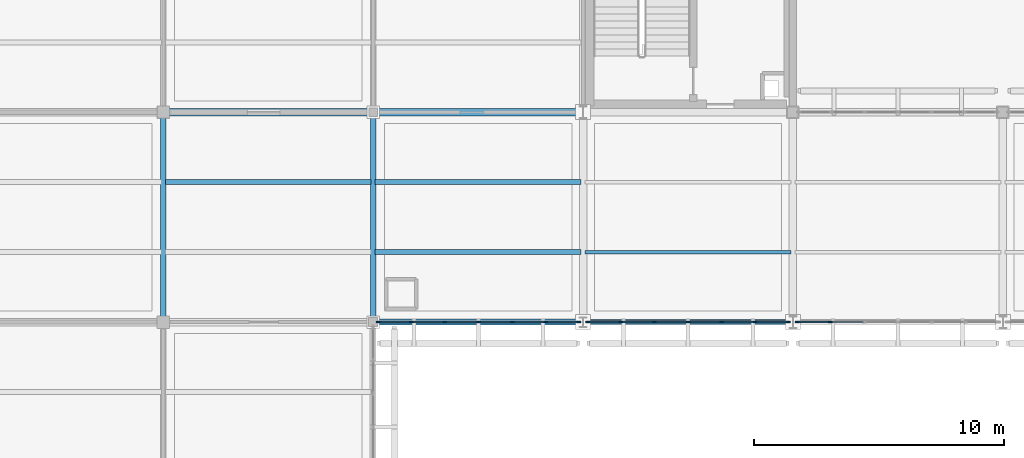
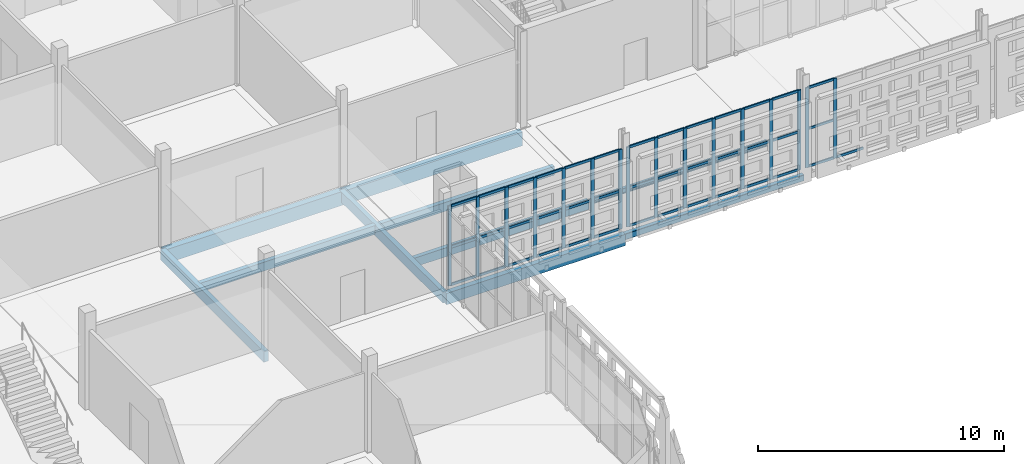
# One storey, part 43 of 203: 56 members, 10 beams, 3 elements without a shape of their own.
"""IFC4 building model written with IfcOpenShell, lengths in metres."""

from ifc_helpers import new_model, si_unit, direction, frame, origin, origin_2d, place, context, subcontext, project, spatial, rectangle, hollow_rectangle, i_section, extrude, material, layer, layer_set, material_profile, profile_set, type_object, element, aggregate, save


model = new_model("IFC4")

# Units and contexts
model_context = context("Model", 3, precision=1e-05, world=origin(), true_north=direction((0.0, 1.0)))
body_context = subcontext(model_context, "Body", "Model", "MODEL_VIEW")
ifc_project = project(units=[si_unit("LENGTHUNIT", "METRE"), si_unit("AREAUNIT", "SQUARE_METRE"), si_unit("VOLUMEUNIT", "CUBIC_METRE"), si_unit("PLANEANGLEUNIT", "RADIAN"), si_unit("MASSUNIT", "GRAM", prefix="KILO")], contexts=[model_context])

# Site, building, storey
site_placement = place(None, origin())
site = spatial("IfcSite", under=ifc_project, at=site_placement, CompositionType="ELEMENT")
building_placement = place(site_placement, origin())
building = spatial("IfcBuilding", under=site, at=building_placement, Name="Varnapada Polytechnic", CompositionType="ELEMENT")
storey_placement = place(building_placement, frame((0.0, 0.0, 4.800048828125)))
storey = spatial("IfcBuildingStorey", under=building, at=storey_placement, Name="L01", CompositionType="ELEMENT", Elevation=4.800048828125)

# Beams
ifc_material_1 = material(Name="Glulam GL32h", Category="wood")
ifc_material_profile_1 = material_profile(ifc_material_1, rectangle(XDim=0.199951171875, YDim=0.43994140625, at=origin_2d()), Name="GL 200x440")
ifc_profile_set_1 = profile_set([ifc_material_profile_1], Name="Glulam GL32h")
beam_type_1 = type_object("IfcBeamType", Name="Heavy laboratory glulam joist GJ-03 (GL 200x440)", PredefinedType="JOIST", material=ifc_profile_set_1)
for number, where, z_axis, x_axis, name in (
    (1, (33.679931640625, 89.60009765625, -0.469970703125), (1.0, 0.0, 0.0), (0.0, 1.0, 0.0), "L01 floor joist 5/11.2"),
    (2, (42.080078125, 86.800048828125, -0.47998046875), (1.0, 0.0, 0.0), (0.0, 1.0, 0.0), "L01 floor joist 6/11.1"),
    (3, (42.080078125, 89.60009765625, -0.47998046875), (1.0, 0.0, 0.0), (0.0, 1.0, 0.0), "L01 floor joist 6/11.2"),
):
    element("IfcBeam", number, at=place(storey_placement, frame(where, z_axis=z_axis, x_axis=x_axis)), inside=storey, type_object=beam_type_1, Name=name, PredefinedType="JOIST", context=body_context, shape_type="SweptSolid", body=[
        extrude(rectangle(XDim=0.199951171875, YDim=0.43994140625, at=origin_2d()), origin(), (0.0, 0.0, 1.0), 8.239990234375),
    ])
ifc_material_profile_2 = material_profile(ifc_material_1, rectangle(XDim=0.219970703125, YDim=0.52001953125, at=origin_2d()), Name="GL 220x520")
ifc_profile_set_2 = profile_set([ifc_material_profile_2], Name="Glulam GL32h")
beam_type_2 = type_object("IfcBeamType", Name="Laboratory transverse glulam beam GB-12 (GL 220x520)", PredefinedType="BEAM", material=ifc_profile_set_2)
for number, where, z_axis, x_axis, name in (
    (4, (33.60009765625, 84.0, -0.510009765625), (0.0, 1.0, 0.0), (-1.0, 0.0, 0.0), "L01 beam Y 11-12 at X5"),
    (5, (42.0, 84.0, -0.510009765625), (0.0, 1.0, 0.0), (-1.0, 0.0, 0.0), "L01 beam Y 11-12 at X6"),
):
    element("IfcBeam", number, at=place(storey_placement, frame(where, z_axis=z_axis, x_axis=x_axis)), inside=storey, type_object=beam_type_2, Name=name, PredefinedType="BEAM", context=body_context, shape_type="SweptSolid", body=[
        extrude(rectangle(XDim=0.219970703125, YDim=0.52001953125, at=origin_2d()), origin(), (0.0, 0.0, 1.0), 8.39990234375),
    ])
ifc_material_2 = material(Name="Steel S355", Category="steel")
ifc_material_profile_3 = material_profile(ifc_material_2, i_section(OverallWidth=0.135009765625, OverallDepth=0.27001953125, WebThickness=0.006591796875, FlangeThickness=0.01025390625, FilletRadius=0.014892578125, at=origin_2d()), Name="IPE 270")
ifc_profile_set_3 = profile_set([ifc_material_profile_3], Name="Steel S355")
beam_type_3 = type_object("IfcBeamType", Name="Mezzanine heavy steel joist SJ-03 (IPE 270)", PredefinedType="JOIST", material=ifc_profile_set_3)
beam_1_placement = place(storey_placement, frame((50.47998046875, 86.800048828125, -0.39501953125), z_axis=(1.0, 0.0, 0.0), x_axis=(0.0, 1.0, 0.0)))
element("IfcBeam", 6, at=beam_1_placement, inside=storey, type_object=beam_type_3, Name="L01 floor joist 7/11.1", PredefinedType="JOIST", context=body_context, shape_type="SweptSolid", body=[
    extrude(i_section(OverallWidth=0.135009765625, OverallDepth=0.27001953125, WebThickness=0.006591796875, FlangeThickness=0.01025390625, FilletRadius=0.014892578125, at=origin_2d()), origin(), (0.0, 0.0, 1.0), 8.239990234375),
])

# Curtain wall, members
ifc_material_3 = material(Name="Double low-E laminated glass", Category="glass")
ifc_layer = layer(ifc_material_3, 0.159912109375)
ifc_layer_set = layer_set([ifc_layer], Name="Double low-E laminated glass")
curtain_wall_type = type_object("IfcCurtainWallType", Name="Curtain Wall CW-01", PredefinedType="NOTDEFINED", material=ifc_layer_set)
curtain_wall_1_placement = place(storey_placement, origin())
curtain_wall_1 = element("IfcCurtainWall", 7, at=curtain_wall_1_placement, inside=storey, type_object=curtain_wall_type, Name="L01 unitised curtain wall CW-01 (46)", PredefinedType="NOTDEFINED")
ifc_material_4 = material(Name="Anodised aluminium", Category="aluminium")
ifc_material_profile_4 = material_profile(ifc_material_4, rectangle(XDim=0.06005859375, YDim=0.159912109375, at=origin_2d()), Name="ALU M60x160")
ifc_profile_set_4 = profile_set([ifc_material_profile_4], Name="Anodised aluminium")
member_type_1 = type_object("IfcMemberType", Name="Mullion M-01", PredefinedType="MULLION", material=ifc_profile_set_4)
member_1_placement = place(storey_placement, frame((50.219970703125, 84.0, 0.0), z_axis=(0.0, 0.0, 1.0), x_axis=(0.0, -1.0, 0.0)))
member_1 = element("IfcMember", 8, at=member_1_placement, type_object=member_type_1, Name="CW-01 mullion 1", PredefinedType="MULLION", context=body_context, shape_type="SweptSolid", body=[
    extrude(rectangle(XDim=0.06005859375, YDim=0.159912109375, at=origin_2d()), origin(), (0.0, 0.0, 1.0), 3.9599609375),
])
member_2_placement = place(storey_placement, frame((48.905029296875, 84.0, 0.0), z_axis=(0.0, 0.0, 1.0), x_axis=(0.0, -1.0, 0.0)))
member_2 = element("IfcMember", 9, at=member_2_placement, type_object=member_type_1, Name="CW-01 mullion 2", PredefinedType="MULLION", context=body_context, shape_type="SweptSolid", body=[
    extrude(rectangle(XDim=0.06005859375, YDim=0.159912109375, at=origin_2d()), origin(), (0.0, 0.0, 1.0), 3.9599609375),
])
member_3_placement = place(storey_placement, frame((47.56005859375, 84.0, 0.0), z_axis=(0.0, 0.0, 1.0), x_axis=(0.0, -1.0, 0.0)))
member_3 = element("IfcMember", 10, at=member_3_placement, type_object=member_type_1, Name="CW-01 mullion 3", PredefinedType="MULLION", context=body_context, shape_type="SweptSolid", body=[
    extrude(rectangle(XDim=0.06005859375, YDim=0.159912109375, at=origin_2d()), origin(), (0.0, 0.0, 1.0), 3.9599609375),
])
member_4_placement = place(storey_placement, frame((46.215087890625, 84.0, 0.0), z_axis=(0.0, 0.0, 1.0), x_axis=(0.0, -1.0, 0.0)))
member_4 = element("IfcMember", 11, at=member_4_placement, type_object=member_type_1, Name="CW-01 mullion 4", PredefinedType="MULLION", context=body_context, shape_type="SweptSolid", body=[
    extrude(rectangle(XDim=0.06005859375, YDim=0.159912109375, at=origin_2d()), origin(), (0.0, 0.0, 1.0), 3.9599609375),
])
member_5_placement = place(storey_placement, frame((44.8701171875, 84.0, 0.0), z_axis=(0.0, 0.0, 1.0), x_axis=(0.0, -1.0, 0.0)))
member_5 = element("IfcMember", 12, at=member_5_placement, type_object=member_type_1, Name="CW-01 mullion 5", PredefinedType="MULLION", context=body_context, shape_type="SweptSolid", body=[
    extrude(rectangle(XDim=0.06005859375, YDim=0.159912109375, at=origin_2d()), origin(), (0.0, 0.0, 1.0), 3.9599609375),
])
member_6_placement = place(storey_placement, frame((43.52490234375, 84.0, 0.0), z_axis=(0.0, 0.0, 1.0), x_axis=(0.0, -1.0, 0.0)))
member_6 = element("IfcMember", 13, at=member_6_placement, type_object=member_type_1, Name="CW-01 mullion 6", PredefinedType="MULLION", context=body_context, shape_type="SweptSolid", body=[
    extrude(rectangle(XDim=0.06005859375, YDim=0.159912109375, at=origin_2d()), origin(), (0.0, 0.0, 1.0), 3.9599609375),
])
member_7_placement = place(storey_placement, frame((42.2099609375, 84.0, 0.0), z_axis=(0.0, 0.0, 1.0), x_axis=(0.0, -1.0, 0.0)))
member_7 = element("IfcMember", 14, at=member_7_placement, type_object=member_type_1, Name="CW-01 mullion 7", PredefinedType="MULLION", context=body_context, shape_type="SweptSolid", body=[
    extrude(rectangle(XDim=0.06005859375, YDim=0.159912109375, at=origin_2d()), origin(), (0.0, 0.0, 1.0), 3.9599609375),
])

curtain_wall_2_placement = place(storey_placement, origin())
curtain_wall_2 = element("IfcCurtainWall", 15, at=curtain_wall_2_placement, inside=storey, type_object=curtain_wall_type, Name="L01 unitised curtain wall CW-01 (52)", PredefinedType="NOTDEFINED")
member_8_placement = place(storey_placement, frame((58.6201171875, 84.0, 0.0), z_axis=(0.0, 0.0, 1.0), x_axis=(0.0, -1.0, 0.0)))
member_8 = element("IfcMember", 16, at=member_8_placement, type_object=member_type_1, Name="CW-01 mullion 1", PredefinedType="MULLION", context=body_context, shape_type="SweptSolid", body=[
    extrude(rectangle(XDim=0.06005859375, YDim=0.159912109375, at=origin_2d()), origin(), (0.0, 0.0, 1.0), 3.9599609375),
])
member_9_placement = place(storey_placement, frame((57.300048828125, 84.0, 0.0), z_axis=(0.0, 0.0, 1.0), x_axis=(0.0, -1.0, 0.0)))
member_9 = element("IfcMember", 17, at=member_9_placement, type_object=member_type_1, Name="CW-01 mullion 2", PredefinedType="MULLION", context=body_context, shape_type="SweptSolid", body=[
    extrude(rectangle(XDim=0.06005859375, YDim=0.159912109375, at=origin_2d()), origin(), (0.0, 0.0, 1.0), 3.9599609375),
])
member_10_placement = place(storey_placement, frame((55.949951171875, 84.0, 0.0), z_axis=(0.0, 0.0, 1.0), x_axis=(0.0, -1.0, 0.0)))
member_10 = element("IfcMember", 18, at=member_10_placement, type_object=member_type_1, Name="CW-01 mullion 3", PredefinedType="MULLION", context=body_context, shape_type="SweptSolid", body=[
    extrude(rectangle(XDim=0.06005859375, YDim=0.159912109375, at=origin_2d()), origin(), (0.0, 0.0, 1.0), 3.9599609375),
])
member_11_placement = place(storey_placement, frame((54.60009765625, 84.0, 0.0), z_axis=(0.0, 0.0, 1.0), x_axis=(0.0, -1.0, 0.0)))
member_11 = element("IfcMember", 19, at=member_11_placement, type_object=member_type_1, Name="CW-01 mullion 4", PredefinedType="MULLION", context=body_context, shape_type="SweptSolid", body=[
    extrude(rectangle(XDim=0.06005859375, YDim=0.159912109375, at=origin_2d()), origin(), (0.0, 0.0, 1.0), 3.9599609375),
])
member_12_placement = place(storey_placement, frame((53.25, 84.0, 0.0), z_axis=(0.0, 0.0, 1.0), x_axis=(0.0, -1.0, 0.0)))
member_12 = element("IfcMember", 20, at=member_12_placement, type_object=member_type_1, Name="CW-01 mullion 5", PredefinedType="MULLION", context=body_context, shape_type="SweptSolid", body=[
    extrude(rectangle(XDim=0.06005859375, YDim=0.159912109375, at=origin_2d()), origin(), (0.0, 0.0, 1.0), 3.9599609375),
])
member_13_placement = place(storey_placement, frame((51.89990234375, 84.0, 0.0), z_axis=(0.0, 0.0, 1.0), x_axis=(0.0, -1.0, 0.0)))
member_13 = element("IfcMember", 21, at=member_13_placement, type_object=member_type_1, Name="CW-01 mullion 6", PredefinedType="MULLION", context=body_context, shape_type="SweptSolid", body=[
    extrude(rectangle(XDim=0.06005859375, YDim=0.159912109375, at=origin_2d()), origin(), (0.0, 0.0, 1.0), 3.9599609375),
])
member_14_placement = place(storey_placement, frame((50.580078125, 84.0, 0.0), z_axis=(0.0, 0.0, 1.0), x_axis=(0.0, -1.0, 0.0)))
member_14 = element("IfcMember", 22, at=member_14_placement, type_object=member_type_1, Name="CW-01 mullion 7", PredefinedType="MULLION", context=body_context, shape_type="SweptSolid", body=[
    extrude(rectangle(XDim=0.06005859375, YDim=0.159912109375, at=origin_2d()), origin(), (0.0, 0.0, 1.0), 3.9599609375),
])

curtain_wall_3_placement = place(storey_placement, origin())
curtain_wall_3 = element("IfcCurtainWall", 23, at=curtain_wall_3_placement, inside=storey, type_object=curtain_wall_type, Name="L01 unitised curtain wall CW-01 (57)", PredefinedType="NOTDEFINED")
member_15_placement = place(storey_placement, frame((60.300048828125, 84.0, 0.0), z_axis=(0.0, 0.0, 1.0), x_axis=(0.0, -1.0, 0.0)))
member_15 = element("IfcMember", 24, at=member_15_placement, type_object=member_type_1, Name="CW-01 mullion 6", PredefinedType="MULLION", context=body_context, shape_type="SweptSolid", body=[
    extrude(rectangle(XDim=0.06005859375, YDim=0.159912109375, at=origin_2d()), origin(), (0.0, 0.0, 1.0), 3.9599609375),
])
member_16_placement = place(storey_placement, frame((58.97998046875, 84.0, 0.0), z_axis=(0.0, 0.0, 1.0), x_axis=(0.0, -1.0, 0.0)))
member_16 = element("IfcMember", 25, at=member_16_placement, type_object=member_type_1, Name="CW-01 mullion 7", PredefinedType="MULLION", context=body_context, shape_type="SweptSolid", body=[
    extrude(rectangle(XDim=0.06005859375, YDim=0.159912109375, at=origin_2d()), origin(), (0.0, 0.0, 1.0), 3.9599609375),
])

# Beam
ifc_material_profile_5 = material_profile(ifc_material_1, rectangle(XDim=0.239990234375, YDim=0.56005859375, at=origin_2d()), Name="GL 240x560")
ifc_profile_set_5 = profile_set([ifc_material_profile_5], Name="Glulam GL32h")
beam_type_4 = type_object("IfcBeamType", Name="Perimeter glulam spandrel beam SP-02 (GL 240x560)", PredefinedType="SPANDREL", material=ifc_profile_set_5)
beam_2_placement = place(storey_placement, frame((42.0, 84.0, -0.5400390625), z_axis=(1.0, 0.0, 0.0), x_axis=(0.0, 1.0, 0.0)))
element("IfcBeam", 26, at=beam_2_placement, inside=storey, type_object=beam_type_4, Name="L01 beam X 6-7 at Y11", PredefinedType="SPANDREL", context=body_context, shape_type="SweptSolid", body=[
    extrude(rectangle(XDim=0.239990234375, YDim=0.56005859375, at=origin_2d()), origin(), (0.0, 0.0, 1.0), 8.39990234375),
])

# Member
ifc_material_profile_6 = material_profile(ifc_material_4, rectangle(XDim=0.06005859375, YDim=0.1201171875, at=origin_2d()), Name="ALU T60x120")
ifc_profile_set_6 = profile_set([ifc_material_profile_6], Name="Anodised aluminium")
member_type_2 = type_object("IfcMemberType", Name="Transom T-01", PredefinedType="USERDEFINED", material=ifc_profile_set_6)
member_17_placement = place(storey_placement, frame((50.18994140625, 84.0, 0.030029296875), z_axis=(-1.0, 0.0, 0.0), x_axis=(0.0, -1.0, 0.0)))
member_17 = element("IfcMember", 27, at=member_17_placement, type_object=member_type_2, Name="CW-01 transom 1.1", ObjectType="TRANSOM", PredefinedType="USERDEFINED", context=body_context, shape_type="SweptSolid", body=[
    extrude(rectangle(XDim=0.06005859375, YDim=0.1201171875, at=origin_2d()), origin(), (0.0, 0.0, 1.0), 1.2548828125),
])

member_18_placement = place(storey_placement, frame((50.18994140625, 84.0, 1.900634765625), z_axis=(-1.0, 0.0, 0.0), x_axis=(0.0, -1.0, 0.0)))
member_18 = element("IfcMember", 28, at=member_18_placement, type_object=member_type_2, Name="CW-01 transom 1.2", ObjectType="TRANSOM", PredefinedType="USERDEFINED", context=body_context, shape_type="SweptSolid", body=[
    extrude(rectangle(XDim=0.06005859375, YDim=0.1201171875, at=origin_2d()), origin(), (0.0, 0.0, 1.0), 1.2548828125),
])

member_19_placement = place(storey_placement, frame((50.18994140625, 84.0, 3.929931640625), z_axis=(-1.0, 0.0, 0.0), x_axis=(0.0, -1.0, 0.0)))
member_19 = element("IfcMember", 29, at=member_19_placement, type_object=member_type_2, Name="CW-01 transom 1.3", ObjectType="TRANSOM", PredefinedType="USERDEFINED", context=body_context, shape_type="SweptSolid", body=[
    extrude(rectangle(XDim=0.06005859375, YDim=0.1201171875, at=origin_2d()), origin(), (0.0, 0.0, 1.0), 1.2548828125),
])

member_20_placement = place(storey_placement, frame((48.875, 84.0, 0.030029296875), z_axis=(-1.0, 0.0, 0.0), x_axis=(0.0, -1.0, 0.0)))
member_20 = element("IfcMember", 30, at=member_20_placement, type_object=member_type_2, Name="CW-01 transom 2.1", ObjectType="TRANSOM", PredefinedType="USERDEFINED", context=body_context, shape_type="SweptSolid", body=[
    extrude(rectangle(XDim=0.06005859375, YDim=0.1201171875, at=origin_2d()), origin(), (0.0, 0.0, 1.0), 1.284912109375),
])

member_21_placement = place(storey_placement, frame((48.875, 84.0, 1.900634765625), z_axis=(-1.0, 0.0, 0.0), x_axis=(0.0, -1.0, 0.0)))
member_21 = element("IfcMember", 31, at=member_21_placement, type_object=member_type_2, Name="CW-01 transom 2.2", ObjectType="TRANSOM", PredefinedType="USERDEFINED", context=body_context, shape_type="SweptSolid", body=[
    extrude(rectangle(XDim=0.06005859375, YDim=0.1201171875, at=origin_2d()), origin(), (0.0, 0.0, 1.0), 1.284912109375),
])

member_22_placement = place(storey_placement, frame((48.875, 84.0, 3.929931640625), z_axis=(-1.0, 0.0, 0.0), x_axis=(0.0, -1.0, 0.0)))
member_22 = element("IfcMember", 32, at=member_22_placement, type_object=member_type_2, Name="CW-01 transom 2.3", ObjectType="TRANSOM", PredefinedType="USERDEFINED", context=body_context, shape_type="SweptSolid", body=[
    extrude(rectangle(XDim=0.06005859375, YDim=0.1201171875, at=origin_2d()), origin(), (0.0, 0.0, 1.0), 1.284912109375),
])

member_23_placement = place(storey_placement, frame((47.530029296875, 84.0, 0.030029296875), z_axis=(-1.0, 0.0, 0.0), x_axis=(0.0, -1.0, 0.0)))
member_23 = element("IfcMember", 33, at=member_23_placement, type_object=member_type_2, Name="CW-01 transom 3.1", ObjectType="TRANSOM", PredefinedType="USERDEFINED", context=body_context, shape_type="SweptSolid", body=[
    extrude(rectangle(XDim=0.06005859375, YDim=0.1201171875, at=origin_2d()), origin(), (0.0, 0.0, 1.0), 1.284912109375),
])

member_24_placement = place(storey_placement, frame((47.530029296875, 84.0, 1.900634765625), z_axis=(-1.0, 0.0, 0.0), x_axis=(0.0, -1.0, 0.0)))
member_24 = element("IfcMember", 34, at=member_24_placement, type_object=member_type_2, Name="CW-01 transom 3.2", ObjectType="TRANSOM", PredefinedType="USERDEFINED", context=body_context, shape_type="SweptSolid", body=[
    extrude(rectangle(XDim=0.06005859375, YDim=0.1201171875, at=origin_2d()), origin(), (0.0, 0.0, 1.0), 1.284912109375),
])

member_25_placement = place(storey_placement, frame((47.530029296875, 84.0, 3.929931640625), z_axis=(-1.0, 0.0, 0.0), x_axis=(0.0, -1.0, 0.0)))
member_25 = element("IfcMember", 35, at=member_25_placement, type_object=member_type_2, Name="CW-01 transom 3.3", ObjectType="TRANSOM", PredefinedType="USERDEFINED", context=body_context, shape_type="SweptSolid", body=[
    extrude(rectangle(XDim=0.06005859375, YDim=0.1201171875, at=origin_2d()), origin(), (0.0, 0.0, 1.0), 1.284912109375),
])

member_26_placement = place(storey_placement, frame((46.18505859375, 84.0, 0.030029296875), z_axis=(-1.0, 0.0, 0.0), x_axis=(0.0, -1.0, 0.0)))
member_26 = element("IfcMember", 36, at=member_26_placement, type_object=member_type_2, Name="CW-01 transom 4.1", ObjectType="TRANSOM", PredefinedType="USERDEFINED", context=body_context, shape_type="SweptSolid", body=[
    extrude(rectangle(XDim=0.06005859375, YDim=0.1201171875, at=origin_2d()), origin(), (0.0, 0.0, 1.0), 1.28515625),
])

member_27_placement = place(storey_placement, frame((46.18505859375, 84.0, 1.900634765625), z_axis=(-1.0, 0.0, 0.0), x_axis=(0.0, -1.0, 0.0)))
member_27 = element("IfcMember", 37, at=member_27_placement, type_object=member_type_2, Name="CW-01 transom 4.2", ObjectType="TRANSOM", PredefinedType="USERDEFINED", context=body_context, shape_type="SweptSolid", body=[
    extrude(rectangle(XDim=0.06005859375, YDim=0.1201171875, at=origin_2d()), origin(), (0.0, 0.0, 1.0), 1.28515625),
])

member_28_placement = place(storey_placement, frame((46.18505859375, 84.0, 3.929931640625), z_axis=(-1.0, 0.0, 0.0), x_axis=(0.0, -1.0, 0.0)))
member_28 = element("IfcMember", 38, at=member_28_placement, type_object=member_type_2, Name="CW-01 transom 4.3", ObjectType="TRANSOM", PredefinedType="USERDEFINED", context=body_context, shape_type="SweptSolid", body=[
    extrude(rectangle(XDim=0.06005859375, YDim=0.1201171875, at=origin_2d()), origin(), (0.0, 0.0, 1.0), 1.28515625),
])

member_29_placement = place(storey_placement, frame((44.840087890625, 84.0, 0.030029296875), z_axis=(-1.0, 0.0, 0.0), x_axis=(0.0, -1.0, 0.0)))
member_29 = element("IfcMember", 39, at=member_29_placement, type_object=member_type_2, Name="CW-01 transom 5.1", ObjectType="TRANSOM", PredefinedType="USERDEFINED", context=body_context, shape_type="SweptSolid", body=[
    extrude(rectangle(XDim=0.06005859375, YDim=0.1201171875, at=origin_2d()), origin(), (0.0, 0.0, 1.0), 1.28515625),
])

member_30_placement = place(storey_placement, frame((44.840087890625, 84.0, 1.900634765625), z_axis=(-1.0, 0.0, 0.0), x_axis=(0.0, -1.0, 0.0)))
member_30 = element("IfcMember", 40, at=member_30_placement, type_object=member_type_2, Name="CW-01 transom 5.2", ObjectType="TRANSOM", PredefinedType="USERDEFINED", context=body_context, shape_type="SweptSolid", body=[
    extrude(rectangle(XDim=0.06005859375, YDim=0.1201171875, at=origin_2d()), origin(), (0.0, 0.0, 1.0), 1.28515625),
])

member_31_placement = place(storey_placement, frame((44.840087890625, 84.0, 3.929931640625), z_axis=(-1.0, 0.0, 0.0), x_axis=(0.0, -1.0, 0.0)))
member_31 = element("IfcMember", 41, at=member_31_placement, type_object=member_type_2, Name="CW-01 transom 5.3", ObjectType="TRANSOM", PredefinedType="USERDEFINED", context=body_context, shape_type="SweptSolid", body=[
    extrude(rectangle(XDim=0.06005859375, YDim=0.1201171875, at=origin_2d()), origin(), (0.0, 0.0, 1.0), 1.28515625),
])

member_32_placement = place(storey_placement, frame((43.4951171875, 84.0, 0.030029296875), z_axis=(-1.0, 0.0, 0.0), x_axis=(0.0, -1.0, 0.0)))
member_32 = element("IfcMember", 42, at=member_32_placement, type_object=member_type_2, Name="CW-01 transom 6.1", ObjectType="TRANSOM", PredefinedType="USERDEFINED", context=body_context, shape_type="SweptSolid", body=[
    extrude(rectangle(XDim=0.06005859375, YDim=0.1201171875, at=origin_2d()), origin(), (0.0, 0.0, 1.0), 1.255126953125),
])

member_33_placement = place(storey_placement, frame((43.4951171875, 84.0, 1.900634765625), z_axis=(-1.0, 0.0, 0.0), x_axis=(0.0, -1.0, 0.0)))
member_33 = element("IfcMember", 43, at=member_33_placement, type_object=member_type_2, Name="CW-01 transom 6.2", ObjectType="TRANSOM", PredefinedType="USERDEFINED", context=body_context, shape_type="SweptSolid", body=[
    extrude(rectangle(XDim=0.06005859375, YDim=0.1201171875, at=origin_2d()), origin(), (0.0, 0.0, 1.0), 1.255126953125),
])

member_34_placement = place(storey_placement, frame((43.4951171875, 84.0, 3.929931640625), z_axis=(-1.0, 0.0, 0.0), x_axis=(0.0, -1.0, 0.0)))
member_34 = element("IfcMember", 44, at=member_34_placement, type_object=member_type_2, Name="CW-01 transom 6.3", ObjectType="TRANSOM", PredefinedType="USERDEFINED", context=body_context, shape_type="SweptSolid", body=[
    extrude(rectangle(XDim=0.06005859375, YDim=0.1201171875, at=origin_2d()), origin(), (0.0, 0.0, 1.0), 1.255126953125),
])

aggregate(curtain_wall_1, [member_1, member_2, member_3, member_4, member_5, member_6, member_7, member_17, member_18, member_19, member_20, member_21, member_22, member_23, member_24, member_25, member_26, member_27, member_28, member_29, member_30, member_31, member_32, member_33, member_34])

member_35_placement = place(storey_placement, frame((58.590087890625, 84.0, 0.030029296875), z_axis=(-1.0, 0.0, 0.0), x_axis=(0.0, -1.0, 0.0)))
member_35 = element("IfcMember", 45, at=member_35_placement, type_object=member_type_2, Name="CW-01 transom 1.1", ObjectType="TRANSOM", PredefinedType="USERDEFINED", context=body_context, shape_type="SweptSolid", body=[
    extrude(rectangle(XDim=0.06005859375, YDim=0.1201171875, at=origin_2d()), origin(), (0.0, 0.0, 1.0), 1.260009765625),
])

member_36_placement = place(storey_placement, frame((58.590087890625, 84.0, 1.900634765625), z_axis=(-1.0, 0.0, 0.0), x_axis=(0.0, -1.0, 0.0)))
member_36 = element("IfcMember", 46, at=member_36_placement, type_object=member_type_2, Name="CW-01 transom 1.2", ObjectType="TRANSOM", PredefinedType="USERDEFINED", context=body_context, shape_type="SweptSolid", body=[
    extrude(rectangle(XDim=0.06005859375, YDim=0.1201171875, at=origin_2d()), origin(), (0.0, 0.0, 1.0), 1.260009765625),
])

member_37_placement = place(storey_placement, frame((58.590087890625, 84.0, 3.929931640625), z_axis=(-1.0, 0.0, 0.0), x_axis=(0.0, -1.0, 0.0)))
member_37 = element("IfcMember", 47, at=member_37_placement, type_object=member_type_2, Name="CW-01 transom 1.3", ObjectType="TRANSOM", PredefinedType="USERDEFINED", context=body_context, shape_type="SweptSolid", body=[
    extrude(rectangle(XDim=0.06005859375, YDim=0.1201171875, at=origin_2d()), origin(), (0.0, 0.0, 1.0), 1.260009765625),
])

member_38_placement = place(storey_placement, frame((57.27001953125, 84.0, 0.030029296875), z_axis=(-1.0, 0.0, 0.0), x_axis=(0.0, -1.0, 0.0)))
member_38 = element("IfcMember", 48, at=member_38_placement, type_object=member_type_2, Name="CW-01 transom 2.1", ObjectType="TRANSOM", PredefinedType="USERDEFINED", context=body_context, shape_type="SweptSolid", body=[
    extrude(rectangle(XDim=0.06005859375, YDim=0.1201171875, at=origin_2d()), origin(), (0.0, 0.0, 1.0), 1.2900390625),
])

member_39_placement = place(storey_placement, frame((57.27001953125, 84.0, 1.900634765625), z_axis=(-1.0, 0.0, 0.0), x_axis=(0.0, -1.0, 0.0)))
member_39 = element("IfcMember", 49, at=member_39_placement, type_object=member_type_2, Name="CW-01 transom 2.2", ObjectType="TRANSOM", PredefinedType="USERDEFINED", context=body_context, shape_type="SweptSolid", body=[
    extrude(rectangle(XDim=0.06005859375, YDim=0.1201171875, at=origin_2d()), origin(), (0.0, 0.0, 1.0), 1.2900390625),
])

member_40_placement = place(storey_placement, frame((57.27001953125, 84.0, 3.929931640625), z_axis=(-1.0, 0.0, 0.0), x_axis=(0.0, -1.0, 0.0)))
member_40 = element("IfcMember", 50, at=member_40_placement, type_object=member_type_2, Name="CW-01 transom 2.3", ObjectType="TRANSOM", PredefinedType="USERDEFINED", context=body_context, shape_type="SweptSolid", body=[
    extrude(rectangle(XDim=0.06005859375, YDim=0.1201171875, at=origin_2d()), origin(), (0.0, 0.0, 1.0), 1.2900390625),
])

member_41_placement = place(storey_placement, frame((55.919921875, 84.0, 0.030029296875), z_axis=(-1.0, 0.0, 0.0), x_axis=(0.0, -1.0, 0.0)))
member_41 = element("IfcMember", 51, at=member_41_placement, type_object=member_type_2, Name="CW-01 transom 3.1", ObjectType="TRANSOM", PredefinedType="USERDEFINED", context=body_context, shape_type="SweptSolid", body=[
    extrude(rectangle(XDim=0.06005859375, YDim=0.1201171875, at=origin_2d()), origin(), (0.0, 0.0, 1.0), 1.2900390625),
])

member_42_placement = place(storey_placement, frame((55.919921875, 84.0, 1.900634765625), z_axis=(-1.0, 0.0, 0.0), x_axis=(0.0, -1.0, 0.0)))
member_42 = element("IfcMember", 52, at=member_42_placement, type_object=member_type_2, Name="CW-01 transom 3.2", ObjectType="TRANSOM", PredefinedType="USERDEFINED", context=body_context, shape_type="SweptSolid", body=[
    extrude(rectangle(XDim=0.06005859375, YDim=0.1201171875, at=origin_2d()), origin(), (0.0, 0.0, 1.0), 1.2900390625),
])

member_43_placement = place(storey_placement, frame((55.919921875, 84.0, 3.929931640625), z_axis=(-1.0, 0.0, 0.0), x_axis=(0.0, -1.0, 0.0)))
member_43 = element("IfcMember", 53, at=member_43_placement, type_object=member_type_2, Name="CW-01 transom 3.3", ObjectType="TRANSOM", PredefinedType="USERDEFINED", context=body_context, shape_type="SweptSolid", body=[
    extrude(rectangle(XDim=0.06005859375, YDim=0.1201171875, at=origin_2d()), origin(), (0.0, 0.0, 1.0), 1.2900390625),
])

member_44_placement = place(storey_placement, frame((54.570068359375, 84.0, 0.030029296875), z_axis=(-1.0, 0.0, 0.0), x_axis=(0.0, -1.0, 0.0)))
member_44 = element("IfcMember", 54, at=member_44_placement, type_object=member_type_2, Name="CW-01 transom 4.1", ObjectType="TRANSOM", PredefinedType="USERDEFINED", context=body_context, shape_type="SweptSolid", body=[
    extrude(rectangle(XDim=0.06005859375, YDim=0.1201171875, at=origin_2d()), origin(), (0.0, 0.0, 1.0), 1.2900390625),
])

member_45_placement = place(storey_placement, frame((54.570068359375, 84.0, 1.900634765625), z_axis=(-1.0, 0.0, 0.0), x_axis=(0.0, -1.0, 0.0)))
member_45 = element("IfcMember", 55, at=member_45_placement, type_object=member_type_2, Name="CW-01 transom 4.2", ObjectType="TRANSOM", PredefinedType="USERDEFINED", context=body_context, shape_type="SweptSolid", body=[
    extrude(rectangle(XDim=0.06005859375, YDim=0.1201171875, at=origin_2d()), origin(), (0.0, 0.0, 1.0), 1.2900390625),
])

member_46_placement = place(storey_placement, frame((54.570068359375, 84.0, 3.929931640625), z_axis=(-1.0, 0.0, 0.0), x_axis=(0.0, -1.0, 0.0)))
member_46 = element("IfcMember", 56, at=member_46_placement, type_object=member_type_2, Name="CW-01 transom 4.3", ObjectType="TRANSOM", PredefinedType="USERDEFINED", context=body_context, shape_type="SweptSolid", body=[
    extrude(rectangle(XDim=0.06005859375, YDim=0.1201171875, at=origin_2d()), origin(), (0.0, 0.0, 1.0), 1.2900390625),
])

member_47_placement = place(storey_placement, frame((53.219970703125, 84.0, 0.030029296875), z_axis=(-1.0, 0.0, 0.0), x_axis=(0.0, -1.0, 0.0)))
member_47 = element("IfcMember", 57, at=member_47_placement, type_object=member_type_2, Name="CW-01 transom 5.1", ObjectType="TRANSOM", PredefinedType="USERDEFINED", context=body_context, shape_type="SweptSolid", body=[
    extrude(rectangle(XDim=0.06005859375, YDim=0.1201171875, at=origin_2d()), origin(), (0.0, 0.0, 1.0), 1.2900390625),
])

member_48_placement = place(storey_placement, frame((53.219970703125, 84.0, 1.900634765625), z_axis=(-1.0, 0.0, 0.0), x_axis=(0.0, -1.0, 0.0)))
member_48 = element("IfcMember", 58, at=member_48_placement, type_object=member_type_2, Name="CW-01 transom 5.2", ObjectType="TRANSOM", PredefinedType="USERDEFINED", context=body_context, shape_type="SweptSolid", body=[
    extrude(rectangle(XDim=0.06005859375, YDim=0.1201171875, at=origin_2d()), origin(), (0.0, 0.0, 1.0), 1.2900390625),
])

member_49_placement = place(storey_placement, frame((53.219970703125, 84.0, 3.929931640625), z_axis=(-1.0, 0.0, 0.0), x_axis=(0.0, -1.0, 0.0)))
member_49 = element("IfcMember", 59, at=member_49_placement, type_object=member_type_2, Name="CW-01 transom 5.3", ObjectType="TRANSOM", PredefinedType="USERDEFINED", context=body_context, shape_type="SweptSolid", body=[
    extrude(rectangle(XDim=0.06005859375, YDim=0.1201171875, at=origin_2d()), origin(), (0.0, 0.0, 1.0), 1.2900390625),
])

member_50_placement = place(storey_placement, frame((51.8701171875, 84.0, 0.030029296875), z_axis=(-1.0, 0.0, 0.0), x_axis=(0.0, -1.0, 0.0)))
member_50 = element("IfcMember", 60, at=member_50_placement, type_object=member_type_2, Name="CW-01 transom 6.1", ObjectType="TRANSOM", PredefinedType="USERDEFINED", context=body_context, shape_type="SweptSolid", body=[
    extrude(rectangle(XDim=0.06005859375, YDim=0.1201171875, at=origin_2d()), origin(), (0.0, 0.0, 1.0), 1.260009765625),
])

member_51_placement = place(storey_placement, frame((51.8701171875, 84.0, 1.900634765625), z_axis=(-1.0, 0.0, 0.0), x_axis=(0.0, -1.0, 0.0)))
member_51 = element("IfcMember", 61, at=member_51_placement, type_object=member_type_2, Name="CW-01 transom 6.2", ObjectType="TRANSOM", PredefinedType="USERDEFINED", context=body_context, shape_type="SweptSolid", body=[
    extrude(rectangle(XDim=0.06005859375, YDim=0.1201171875, at=origin_2d()), origin(), (0.0, 0.0, 1.0), 1.260009765625),
])

member_52_placement = place(storey_placement, frame((51.8701171875, 84.0, 3.929931640625), z_axis=(-1.0, 0.0, 0.0), x_axis=(0.0, -1.0, 0.0)))
member_52 = element("IfcMember", 62, at=member_52_placement, type_object=member_type_2, Name="CW-01 transom 6.3", ObjectType="TRANSOM", PredefinedType="USERDEFINED", context=body_context, shape_type="SweptSolid", body=[
    extrude(rectangle(XDim=0.06005859375, YDim=0.1201171875, at=origin_2d()), origin(), (0.0, 0.0, 1.0), 1.260009765625),
])

aggregate(curtain_wall_2, [member_8, member_9, member_10, member_11, member_12, member_13, member_14, member_35, member_36, member_37, member_38, member_39, member_40, member_41, member_42, member_43, member_44, member_45, member_46, member_47, member_48, member_49, member_50, member_51, member_52])

member_53_placement = place(storey_placement, frame((61.6201171875, 84.0, 0.030029296875), z_axis=(-1.0, 0.0, 0.0), x_axis=(0.0, -1.0, 0.0)))
member_53 = element("IfcMember", 63, at=member_53_placement, type_object=member_type_2, Name="CW-01 transom 5.1", ObjectType="TRANSOM", PredefinedType="USERDEFINED", context=body_context, shape_type="SweptSolid", body=[
    extrude(rectangle(XDim=0.06005859375, YDim=0.1201171875, at=origin_2d()), origin(), (0.0, 0.0, 1.0), 1.2900390625),
])

member_54_placement = place(storey_placement, frame((60.27001953125, 84.0, 0.030029296875), z_axis=(-1.0, 0.0, 0.0), x_axis=(0.0, -1.0, 0.0)))
member_54 = element("IfcMember", 64, at=member_54_placement, type_object=member_type_2, Name="CW-01 transom 6.1", ObjectType="TRANSOM", PredefinedType="USERDEFINED", context=body_context, shape_type="SweptSolid", body=[
    extrude(rectangle(XDim=0.06005859375, YDim=0.1201171875, at=origin_2d()), origin(), (0.0, 0.0, 1.0), 1.260009765625),
])

member_55_placement = place(storey_placement, frame((60.27001953125, 84.0, 1.900634765625), z_axis=(-1.0, 0.0, 0.0), x_axis=(0.0, -1.0, 0.0)))
member_55 = element("IfcMember", 65, at=member_55_placement, type_object=member_type_2, Name="CW-01 transom 6.2", ObjectType="TRANSOM", PredefinedType="USERDEFINED", context=body_context, shape_type="SweptSolid", body=[
    extrude(rectangle(XDim=0.06005859375, YDim=0.1201171875, at=origin_2d()), origin(), (0.0, 0.0, 1.0), 1.260009765625),
])

member_56_placement = place(storey_placement, frame((60.27001953125, 84.0, 3.929931640625), z_axis=(-1.0, 0.0, 0.0), x_axis=(0.0, -1.0, 0.0)))
member_56 = element("IfcMember", 66, at=member_56_placement, type_object=member_type_2, Name="CW-01 transom 6.3", ObjectType="TRANSOM", PredefinedType="USERDEFINED", context=body_context, shape_type="SweptSolid", body=[
    extrude(rectangle(XDim=0.06005859375, YDim=0.1201171875, at=origin_2d()), origin(), (0.0, 0.0, 1.0), 1.260009765625),
])

aggregate(curtain_wall_3, [member_15, member_16, member_53, member_54, member_55, member_56])

# Beams
ifc_material_profile_7 = material_profile(ifc_material_1, rectangle(XDim=0.300048828125, YDim=0.679931640625, at=origin_2d()), Name="GL 300x680")
ifc_profile_set_7 = profile_set([ifc_material_profile_7], Name="Glulam GL32h")
beam_type_5 = type_object("IfcBeamType", Name="Wet laboratory glulam girder GG-04 (GL 300x680)", PredefinedType="BEAM", material=ifc_profile_set_7)
for number, where, z_axis, x_axis, name in (
    (67, (33.60009765625, 92.39990234375, -0.590087890625), (1.0, 0.0, 0.0), (0.0, 1.0, 0.0), "L01 beam X 5-6 at Y12"),
    (68, (42.0, 92.39990234375, -0.60009765625), (1.0, 0.0, 0.0), (0.0, 1.0, 0.0), "L01 beam X 6-7 at Y12"),
):
    element("IfcBeam", number, at=place(storey_placement, frame(where, z_axis=z_axis, x_axis=x_axis)), inside=storey, type_object=beam_type_5, Name=name, PredefinedType="BEAM", context=body_context, shape_type="SweptSolid", body=[
        extrude(rectangle(XDim=0.300048828125, YDim=0.679931640625, at=origin_2d()), origin(), (0.0, 0.0, 1.0), 8.39990234375),
    ])
ifc_material_profile_8 = material_profile(ifc_material_2, hollow_rectangle(XDim=0.199951171875, YDim=0.300048828125, WallThickness=0.010009765625, InnerFilletRadius=0.010009765625, OuterFilletRadius=0.02001953125, at=origin_2d()), Name="RHS 300x200x10")
ifc_profile_set_8 = profile_set([ifc_material_profile_8], Name="Steel S355")
beam_type_6 = type_object("IfcBeamType", Name="Workshop steel spandrel tie SP-03 (RHS 300x200x10)", PredefinedType="SPANDREL", material=ifc_profile_set_8)
beam_3_placement = place(storey_placement, frame((50.39990234375, 84.0, -0.41015625), z_axis=(1.0, 0.0, 0.0), x_axis=(0.0, 1.0, 0.0)))
element("IfcBeam", 69, at=beam_3_placement, inside=storey, type_object=beam_type_6, Name="L01 beam X 7-8 at Y11", PredefinedType="SPANDREL", context=body_context, shape_type="SweptSolid", body=[
    extrude(hollow_rectangle(XDim=0.199951171875, YDim=0.300048828125, WallThickness=0.010009765625, InnerFilletRadius=0.010009765625, OuterFilletRadius=0.02001953125, at=origin_2d()), origin(), (0.0, 0.0, 1.0), 8.400146484375),
])

save(model, "model.ifc")
